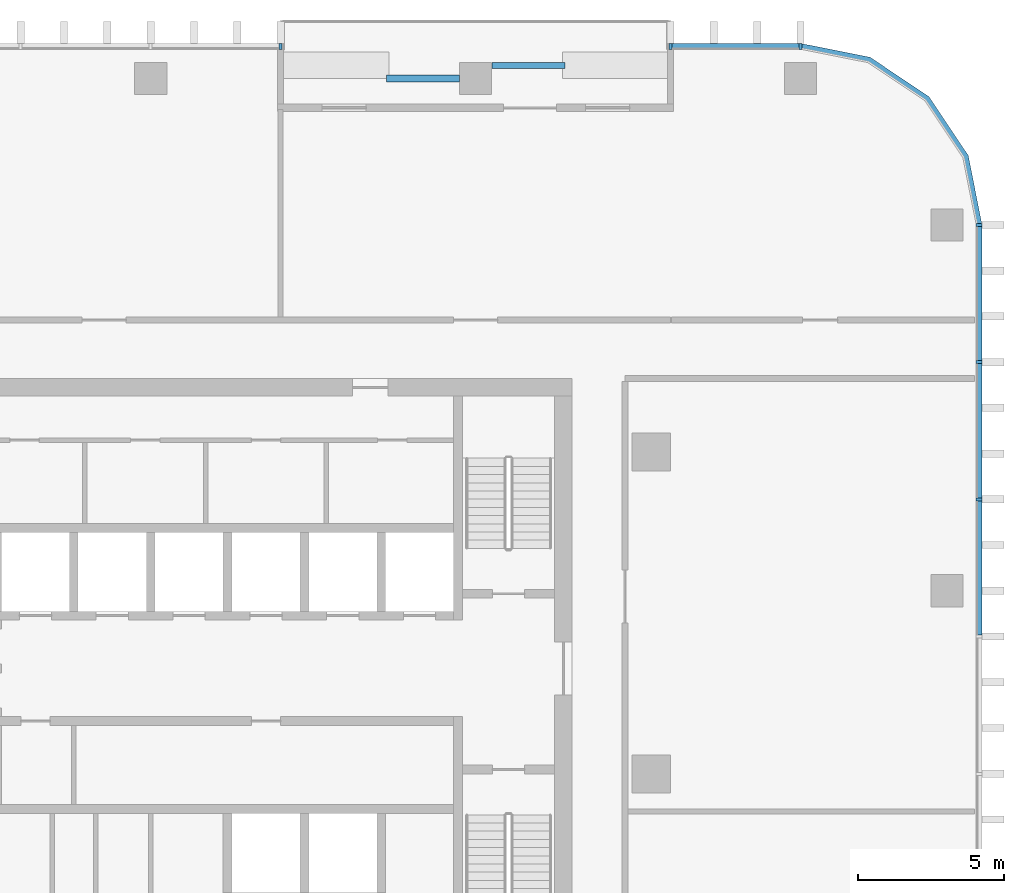
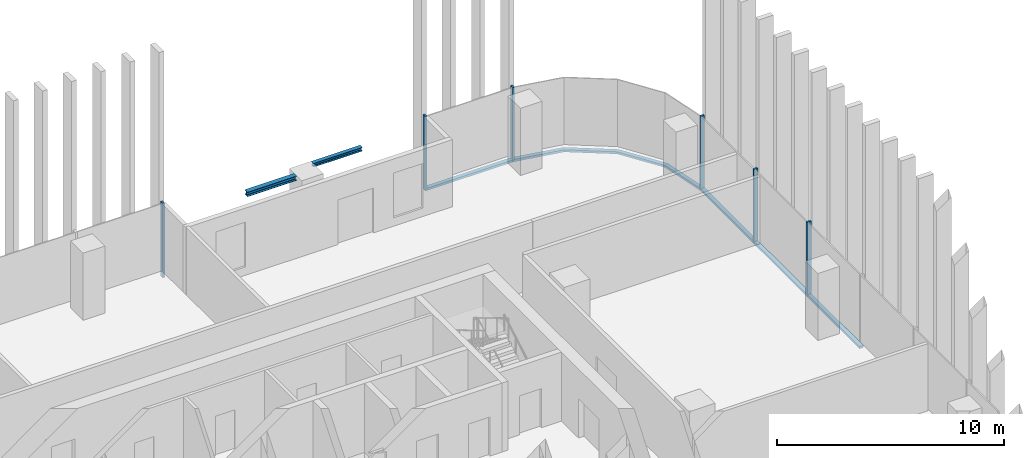
# One storey, part 5 of 16: 11 members, 2 beams, 4 elements without a shape of their own.
"""IFC4 building model written with IfcOpenShell, lengths in metres."""

from ifc_helpers import new_model, si_unit, direction, frame, origin, origin_2d, place, context, subcontext, project, spatial, polyline, rectangle, i_section, outline, extrude, material, material_profile, profile_set, type_object, element, aggregate, save


model = new_model("IFC4")

# Units and contexts
model_context = context("Model", 3, precision=1e-05, world=origin(), true_north=direction((0.0, 1.0)))
body_context = subcontext(model_context, "Body", "Model", "MODEL_VIEW")
ifc_project = project(units=[si_unit("LENGTHUNIT", "METRE"), si_unit("AREAUNIT", "SQUARE_METRE"), si_unit("VOLUMEUNIT", "CUBIC_METRE"), si_unit("PLANEANGLEUNIT", "RADIAN"), si_unit("MASSUNIT", "GRAM", prefix="KILO")], contexts=[model_context])

# Site, building, storey
site_placement = place(None, origin())
site = spatial("IfcSite", under=ifc_project, at=site_placement, CompositionType="ELEMENT")
building_placement = place(site_placement, origin())
building = spatial("IfcBuilding", under=site, at=building_placement, Name="Mopane Tessera Tower", CompositionType="ELEMENT")
storey_placement = place(building_placement, frame((0.0, 0.0, 235.0)))
storey = spatial("IfcBuildingStorey", under=building, at=storey_placement, Name="L50", CompositionType="ELEMENT", Elevation=235.0)

# Curtain wall, members
ifc_material_1 = material(Name="Aluminium frame", Category="aluminium")
curtain_wall_type = type_object("IfcCurtainWallType", Name="Unitised curtain wall", PredefinedType="NOTDEFINED", material=ifc_material_1)
curtain_wall_1_placement = place(storey_placement, origin())
curtain_wall_1 = element("IfcCurtainWall", 1, at=curtain_wall_1_placement, inside=storey, type_object=curtain_wall_type, Name="e:cw:L50:E:0", PredefinedType="NOTDEFINED")
ifc_material_2 = material(Name="Aluminium frame", Category="aluminium")
ifc_material_profile_1 = material_profile(ifc_material_2, rectangle(XDim=0.10009765625, YDim=0.199951171875, at=origin_2d()))
ifc_profile_set_1 = profile_set([ifc_material_profile_1], Name="Aluminium frame")
member_type_1 = type_object("IfcMemberType", Name="Aluminium mullion 100 x 200", PredefinedType="MULLION", material=ifc_profile_set_1)
member_1_placement = place(storey_placement, frame((28.300048828125, 9.375, -0.39990234375), z_axis=(0.0, 0.0, 1.0), x_axis=(0.0, 1.0, 0.0)))
member_1 = element("IfcMember", 2, at=member_1_placement, type_object=member_type_1, Name="e:cw:L50:E:0:mu6", PredefinedType="MULLION", context=body_context, shape_type="SweptSolid", body=[
    extrude(rectangle(XDim=0.10009765625, YDim=0.199951171875, at=origin_2d()), origin(), (0.0, 0.0, 1.0), 4.0),
])
member_2_placement = place(storey_placement, frame((28.300048828125, 14.0625, -0.39990234375), z_axis=(0.0, 0.0, 1.0), x_axis=(0.0, 1.0, 0.0)))
member_2 = element("IfcMember", 3, at=member_2_placement, type_object=member_type_1, Name="e:cw:L50:E:0:mu7", PredefinedType="MULLION", context=body_context, shape_type="SweptSolid", body=[
    extrude(rectangle(XDim=0.10009765625, YDim=0.199951171875, at=origin_2d()), origin(), (0.0, 0.0, 1.0), 4.0),
])
member_3_placement = place(storey_placement, frame((28.300048828125, 18.75, -0.39990234375), z_axis=(0.0, 0.0, 1.0), x_axis=(0.0, 1.0, 0.0)))
member_3 = element("IfcMember", 4, at=member_3_placement, type_object=member_type_1, Name="e:cw:L50:E:0:mu8", PredefinedType="MULLION", context=body_context, shape_type="SweptSolid", body=[
    extrude(rectangle(XDim=0.10009765625, YDim=0.199951171875, at=origin_2d()), origin(), (0.0, 0.0, 1.0), 4.0),
])

curtain_wall_2_placement = place(storey_placement, origin())
curtain_wall_2 = element("IfcCurtainWall", 5, at=curtain_wall_2_placement, inside=storey, type_object=curtain_wall_type, Name="e:cw:L50:N:0", PredefinedType="NOTDEFINED")
member_4_placement = place(storey_placement, frame((22.199951171875, 24.85009765625, -0.39990234375), z_axis=(0.0, 0.0, 1.0), x_axis=(-1.0, 0.0, 0.0)))
member_4 = element("IfcMember", 6, at=member_4_placement, type_object=member_type_1, Name="e:cw:L50:N:0:mu0", PredefinedType="MULLION", context=body_context, shape_type="SweptSolid", body=[
    extrude(rectangle(XDim=0.10009765625, YDim=0.199951171875, at=origin_2d()), origin(), (0.0, 0.0, 1.0), 4.0),
])
member_5_placement = place(storey_placement, frame((17.760009765625, 24.85009765625, -0.39990234375), z_axis=(0.0, 0.0, 1.0), x_axis=(-1.0, 0.0, 0.0)))
member_5 = element("IfcMember", 7, at=member_5_placement, type_object=member_type_1, Name="e:cw:L50:N:0:mu1", PredefinedType="MULLION", context=body_context, shape_type="SweptSolid", body=[
    extrude(rectangle(XDim=0.10009765625, YDim=0.199951171875, at=origin_2d()), origin(), (0.0, 0.0, 1.0), 4.0),
])

# Curtain wall, member
curtain_wall_3_placement = place(storey_placement, origin())
curtain_wall_3 = element("IfcCurtainWall", 8, at=curtain_wall_3_placement, inside=storey, type_object=curtain_wall_type, Name="e:cw:L50:N:4", PredefinedType="NOTDEFINED")
member_6_placement = place(storey_placement, frame((4.43994140625, 24.85009765625, -0.39990234375), z_axis=(0.0, 0.0, 1.0), x_axis=(-1.0, 0.0, 0.0)))
member_6 = element("IfcMember", 9, at=member_6_placement, type_object=member_type_1, Name="e:cw:L50:N:4:mu4", PredefinedType="MULLION", context=body_context, shape_type="SweptSolid", body=[
    extrude(rectangle(XDim=0.10009765625, YDim=0.199951171875, at=origin_2d()), origin(), (0.0, 0.0, 1.0), 4.0),
])
aggregate(curtain_wall_3, [member_6])

# Member
ifc_material_3 = material(Name="Aluminium frame", Category="aluminium")
ifc_material_profile_2 = material_profile(ifc_material_3, rectangle(XDim=0.199951171875, YDim=0.1201171875, at=origin_2d()))
ifc_profile_set_2 = profile_set([ifc_material_profile_2], Name="Aluminium frame")
member_type_2 = type_object("IfcMemberType", Name="Aluminium transom 200 x 120", PredefinedType="USERDEFINED", material=ifc_profile_set_2)
member_7_placement = place(storey_placement, frame((28.300048828125, 4.737548828125, -0.340087890625), z_axis=(0.0, 1.0, 0.0), x_axis=(-1.0, 0.0, 0.0)))
member_7 = element("IfcMember", 10, at=member_7_placement, type_object=member_type_2, Name="e:cw:L50:E:0:tr5", ObjectType="TRANSOM", PredefinedType="USERDEFINED", context=body_context, shape_type="SweptSolid", body=[
    extrude(rectangle(XDim=0.199951171875, YDim=0.1201171875, at=origin_2d()), origin(), (0.0, 0.0, 1.0), 4.58740234375),
])

member_8_placement = place(storey_placement, frame((28.300048828125, 9.425048828125, -0.340087890625), z_axis=(0.0, 1.0, 0.0), x_axis=(-1.0, 0.0, 0.0)))
member_8 = element("IfcMember", 11, at=member_8_placement, type_object=member_type_2, Name="e:cw:L50:E:0:tr6", ObjectType="TRANSOM", PredefinedType="USERDEFINED", context=body_context, shape_type="SweptSolid", body=[
    extrude(rectangle(XDim=0.199951171875, YDim=0.1201171875, at=origin_2d()), origin(), (0.0, 0.0, 1.0), 4.58740234375),
])

member_9_placement = place(storey_placement, frame((28.300048828125, 14.112548828125, -0.340087890625), z_axis=(0.0, 1.0, 0.0), x_axis=(-1.0, 0.0, 0.0)))
member_9 = element("IfcMember", 12, at=member_9_placement, type_object=member_type_2, Name="e:cw:L50:E:0:tr7", ObjectType="TRANSOM", PredefinedType="USERDEFINED", context=body_context, shape_type="SweptSolid", body=[
    extrude(rectangle(XDim=0.199951171875, YDim=0.1201171875, at=origin_2d()), origin(), (0.0, 0.0, 1.0), 4.58740234375),
])

aggregate(curtain_wall_1, [member_1, member_2, member_3, member_7, member_8, member_9])

# Curtain wall, member
curtain_wall_4_placement = place(storey_placement, origin())
curtain_wall_4 = element("IfcCurtainWall", 13, at=curtain_wall_4_placement, inside=storey, type_object=curtain_wall_type, Name="e:cw:L50:CE", PredefinedType="NOTDEFINED")
member_10_placement = place(storey_placement, frame((0.0, 0.0, -0.39990234375)))
member_10 = element("IfcMember", 14, at=member_10_placement, type_object=member_type_2, Name="e:cw:L50:CE:tr", ObjectType="TRANSOM", PredefinedType="USERDEFINED", context=body_context, shape_type="SweptSolid", body=[
    extrude(outline(polyline([(28.199951171875, 18.75), (27.7431640625, 21.046142578125), (26.442626953125, 22.99267578125), (24.49609375, 24.293212890625), (22.199951171875, 24.75), (22.199951171875, 24.949951171875), (24.57275390625, 24.47802734375), (26.583984375, 23.134033203125), (27.927978515625, 21.12255859375), (28.39990234375, 18.75), (28.199951171875, 18.75)])), origin(), (0.0, 0.0, 1.0), 0.119873046875),
])
aggregate(curtain_wall_4, [member_10])

# Member
member_11_placement = place(storey_placement, frame((22.14990234375, 24.85009765625, -0.340087890625), z_axis=(-1.0, 0.0, 0.0), x_axis=(0.0, -1.0, 0.0)))
member_11 = element("IfcMember", 15, at=member_11_placement, type_object=member_type_2, Name="e:cw:L50:N:0:tr0", ObjectType="TRANSOM", PredefinedType="USERDEFINED", context=body_context, shape_type="SweptSolid", body=[
    extrude(rectangle(XDim=0.199951171875, YDim=0.1201171875, at=origin_2d()), origin(), (0.0, 0.0, 1.0), 4.33984375),
])

aggregate(curtain_wall_2, [member_4, member_5, member_11])

# Beams
ifc_material_4 = material(Name="Structural steel S460", Category="steel")
ifc_material_profile_3 = material_profile(ifc_material_4, i_section(OverallWidth=0.239990234375, OverallDepth=0.239990234375, WebThickness=0.010009765625, FlangeThickness=0.01708984375, FilletRadius=0.02099609375, at=origin_2d()))
ifc_profile_set_3 = profile_set([ifc_material_profile_3], Name="Structural steel S460")
beam_type_1 = type_object("IfcBeamType", Name="Terrace spandrel beam HE 240 B", PredefinedType="SPANDREL", material=ifc_profile_set_3)
beam_1_placement = place(storey_placement, frame((10.547119140625, 23.75, 3.47998046875), z_axis=(-1.0, 0.0, 0.0), x_axis=(0.0, -1.0, 0.0)))
element("IfcBeam", 16, at=beam_1_placement, inside=storey, type_object=beam_type_1, Name="Terrace spandrel beam N2 L51", PredefinedType="SPANDREL", context=body_context, shape_type="SweptSolid", body=[
    extrude(i_section(OverallWidth=0.239990234375, OverallDepth=0.239990234375, WebThickness=0.010009765625, FlangeThickness=0.01708984375, FilletRadius=0.02099609375, at=origin_2d()), origin(), (0.0, 0.0, 1.0), 2.5),
])
ifc_material_5 = material(Name="Structural steel S460", Category="steel")
ifc_material_profile_4 = material_profile(ifc_material_5, i_section(OverallWidth=0.199951171875, OverallDepth=0.199951171875, WebThickness=0.009033203125, FlangeThickness=0.014892578125, FilletRadius=0.01806640625, at=origin_2d()))
ifc_profile_set_4 = profile_set([ifc_material_profile_4], Name="Structural steel S460")
beam_type_2 = type_object("IfcBeamType", Name="Terrace trimmer beam HE 200 B", PredefinedType="BEAM", material=ifc_profile_set_4)
beam_2_placement = place(storey_placement, frame((11.653076171875, 24.18994140625, 3.5), z_axis=(1.0, 0.0, 0.0), x_axis=(0.0, 1.0, 0.0)))
element("IfcBeam", 17, at=beam_2_placement, inside=storey, type_object=beam_type_2, Name="Terrace trimmer beam N2 L51", PredefinedType="BEAM", context=body_context, shape_type="SweptSolid", body=[
    extrude(i_section(OverallWidth=0.199951171875, OverallDepth=0.199951171875, WebThickness=0.009033203125, FlangeThickness=0.014892578125, FilletRadius=0.01806640625, at=origin_2d()), origin(), (0.0, 0.0, 1.0), 2.5),
])

save(model, "model.ifc")
